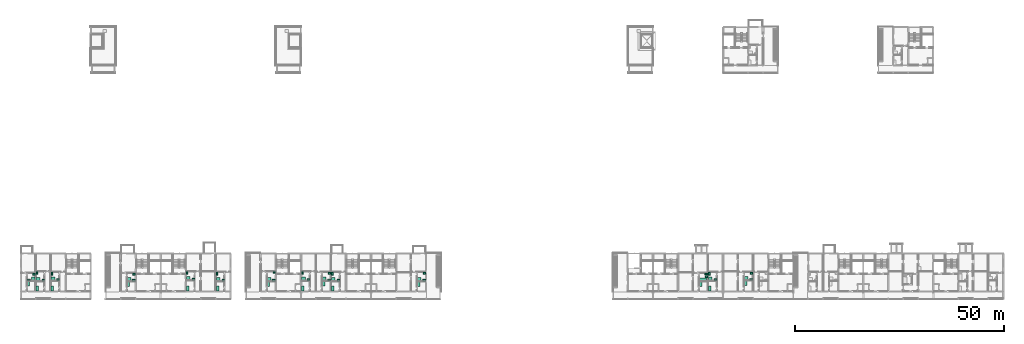
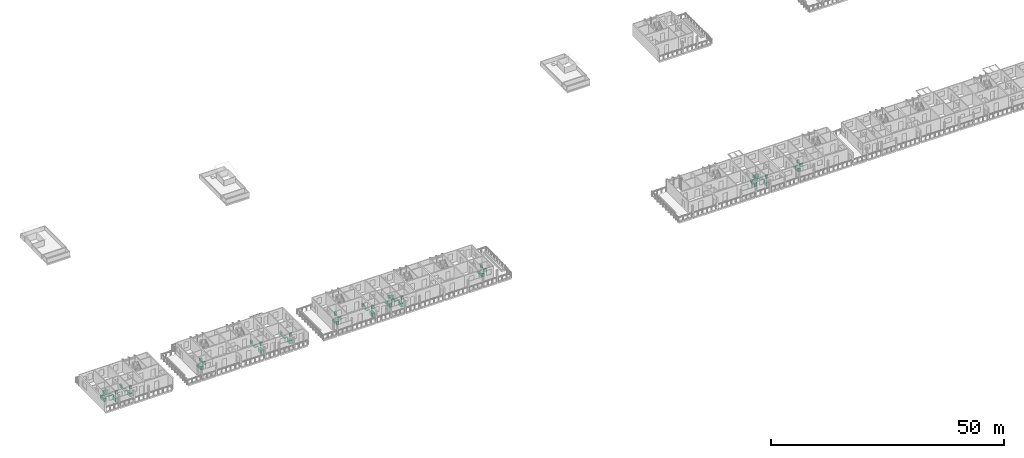
# One storey, part 63 of 64: 56 sanitary terminals.
"""IFC4 building model written with IfcOpenShell, lengths in metres."""

from ifc_helpers import new_model, si_unit, direction, frame, origin, origin_2d, place, context, subcontext, project, spatial, rectangle, extrude, element, save


model = new_model("IFC4")

# Units and contexts
model_context = context("Model", 3, precision=1e-05, world=origin(), true_north=direction((0.0, 1.0)))
body_context = subcontext(model_context, "Body", "Model", "MODEL_VIEW")
ifc_project = project(units=[si_unit("LENGTHUNIT", "METRE"), si_unit("AREAUNIT", "SQUARE_METRE"), si_unit("VOLUMEUNIT", "CUBIC_METRE"), si_unit("PLANEANGLEUNIT", "RADIAN"), si_unit("MASSUNIT", "GRAM", prefix="KILO")], contexts=[model_context])

# Site, building, storey
site_placement = place(None, origin())
site = spatial("IfcSite", under=ifc_project, at=site_placement, CompositionType="ELEMENT")
building_placement = place(site_placement, origin())
building = spatial("IfcBuilding", under=site, at=building_placement, Name="Ridgestep Commons", CompositionType="ELEMENT")
storey_placement = place(building_placement, frame((0.0, 0.0, 33.0)))
storey = spatial("IfcBuildingStorey", under=building, at=storey_placement, Name="L11", CompositionType="ELEMENT", Elevation=33.0)

# Sanitary terminals
sanitary_terminal_1_placement = place(storey_placement, frame((15.050048828125, 16.7099609375, 0.0), z_axis=(0.0, 0.0, 1.0), x_axis=(1.0, 0.0, 0.0)))
element("IfcSanitaryTerminal", 1, at=sanitary_terminal_1_placement, inside=storey, Name="Shower tray A1-11a", PredefinedType="SHOWER", context=body_context, shape_type="SweptSolid", body=[
    extrude(rectangle(XDim=0.89990234375, YDim=0.89990234375, at=origin_2d()), origin(), (0.0, 0.0, 1.0), 0.10009765625),
])
sanitary_terminal_2_placement = place(storey_placement, frame((13.909912109375, 16.4599609375, 0.0), z_axis=(0.0, 0.0, 1.0), x_axis=(1.0, 0.0, 0.0)))
element("IfcSanitaryTerminal", 2, at=sanitary_terminal_2_placement, inside=storey, Name="WC A1-11a", PredefinedType="TOILETPAN", context=body_context, shape_type="SweptSolid", body=[
    extrude(rectangle(XDim=0.699951171875, YDim=0.39990234375, at=origin_2d()), origin(), (0.0, 0.0, 1.0), 0.800048828125),
])
sanitary_terminal_3_placement = place(storey_placement, frame((15.22509765625, 17.824951171875, 0.0), z_axis=(0.0, 0.0, 1.0), x_axis=(1.0, 0.0, 0.0)))
element("IfcSanitaryTerminal", 3, at=sanitary_terminal_3_placement, inside=storey, Name="Basin A1-11a", PredefinedType="WASHHANDBASIN", context=body_context, shape_type="SweptSolid", body=[
    extrude(rectangle(XDim=0.550048828125, YDim=0.449951171875, at=origin_2d()), origin(), (0.0, 0.0, 1.0), 0.85009765625),
])
sanitary_terminal_4_placement = place(storey_placement, frame((13.860107421875, 15.550048828125, 0.0), z_axis=(0.0, 0.0, 1.0), x_axis=(1.0, 0.0, 0.0)))
element("IfcSanitaryTerminal", 4, at=sanitary_terminal_4_placement, inside=storey, Name="Kitchen sink A1-11a", PredefinedType="SINK", context=body_context, shape_type="SweptSolid", body=[
    extrude(rectangle(XDim=0.60009765625, YDim=1.199951171875, at=origin_2d()), origin(), (0.0, 0.0, 1.0), 0.89990234375),
])
sanitary_terminal_5_placement = place(storey_placement, frame((16.14990234375, 16.610107421875, 0.0), z_axis=(0.0, 0.0, 1.0), x_axis=(1.0, 0.0, 0.0)))
element("IfcSanitaryTerminal", 5, at=sanitary_terminal_5_placement, inside=storey, Name="Shower tray A1-11b", PredefinedType="SHOWER", context=body_context, shape_type="SweptSolid", body=[
    extrude(rectangle(XDim=0.89990234375, YDim=0.89990234375, at=origin_2d()), origin(), (0.0, 0.0, 1.0), 0.10009765625),
])
sanitary_terminal_6_placement = place(storey_placement, frame((15.89990234375, 18.10009765625, 0.0), z_axis=(0.0, 0.0, 1.0), x_axis=(1.0, 0.0, 0.0)))
element("IfcSanitaryTerminal", 6, at=sanitary_terminal_6_placement, inside=storey, Name="WC A1-11b", PredefinedType="TOILETPAN", context=body_context, shape_type="SweptSolid", body=[
    extrude(rectangle(XDim=0.39990234375, YDim=0.699951171875, at=origin_2d()), origin(), (0.0, 0.0, 1.0), 0.800048828125),
])
sanitary_terminal_7_placement = place(storey_placement, frame((17.4150390625, 16.385009765625, 0.0), z_axis=(0.0, 0.0, 1.0), x_axis=(1.0, 0.0, 0.0)))
element("IfcSanitaryTerminal", 7, at=sanitary_terminal_7_placement, inside=storey, Name="Basin A1-11b", PredefinedType="WASHHANDBASIN", context=body_context, shape_type="SweptSolid", body=[
    extrude(rectangle(XDim=0.550048828125, YDim=0.449951171875, at=origin_2d()), origin(), (0.0, 0.0, 1.0), 0.85009765625),
])
sanitary_terminal_8_placement = place(storey_placement, frame((16.0, 14.35009765625, 0.0), z_axis=(0.0, 0.0, 1.0), x_axis=(1.0, 0.0, 0.0)))
element("IfcSanitaryTerminal", 8, at=sanitary_terminal_8_placement, inside=storey, Name="Kitchen sink A1-11b", PredefinedType="SINK", context=body_context, shape_type="SweptSolid", body=[
    extrude(rectangle(XDim=0.60009765625, YDim=1.199951171875, at=origin_2d()), origin(), (0.0, 0.0, 1.0), 0.89990234375),
])
sanitary_terminal_9_placement = place(storey_placement, frame((19.75, 16.7099609375, 0.0), z_axis=(0.0, 0.0, 1.0), x_axis=(1.0, 0.0, 0.0)))
element("IfcSanitaryTerminal", 9, at=sanitary_terminal_9_placement, inside=storey, Name="Shower tray A1-11c", PredefinedType="SHOWER", context=body_context, shape_type="SweptSolid", body=[
    extrude(rectangle(XDim=0.89990234375, YDim=0.89990234375, at=origin_2d()), origin(), (0.0, 0.0, 1.0), 0.10009765625),
])
sanitary_terminal_10_placement = place(storey_placement, frame((19.5, 17.89990234375, 0.0), z_axis=(0.0, 0.0, 1.0), x_axis=(1.0, 0.0, 0.0)))
element("IfcSanitaryTerminal", 10, at=sanitary_terminal_10_placement, inside=storey, Name="WC A1-11c", PredefinedType="TOILETPAN", context=body_context, shape_type="SweptSolid", body=[
    extrude(rectangle(XDim=0.39990234375, YDim=0.699951171875, at=origin_2d()), origin(), (0.0, 0.0, 1.0), 0.800048828125),
])
sanitary_terminal_11_placement = place(storey_placement, frame((20.989990234375, 16.485107421875, 0.0), z_axis=(0.0, 0.0, 1.0), x_axis=(1.0, 0.0, 0.0)))
element("IfcSanitaryTerminal", 11, at=sanitary_terminal_11_placement, inside=storey, Name="Basin A1-11c", PredefinedType="WASHHANDBASIN", context=body_context, shape_type="SweptSolid", body=[
    extrude(rectangle(XDim=0.550048828125, YDim=0.449951171875, at=origin_2d()), origin(), (0.0, 0.0, 1.0), 0.85009765625),
])
sanitary_terminal_12_placement = place(storey_placement, frame((19.60009765625, 14.35009765625, 0.0), z_axis=(0.0, 0.0, 1.0), x_axis=(1.0, 0.0, 0.0)))
element("IfcSanitaryTerminal", 12, at=sanitary_terminal_12_placement, inside=storey, Name="Kitchen sink A1-11c", PredefinedType="SINK", context=body_context, shape_type="SweptSolid", body=[
    extrude(rectangle(XDim=0.60009765625, YDim=1.199951171875, at=origin_2d()), origin(), (0.0, 0.0, 1.0), 0.89990234375),
])
sanitary_terminal_13_placement = place(storey_placement, frame((37.9599609375, 16.610107421875, 0.0), z_axis=(0.0, 0.0, 1.0), x_axis=(1.0, 0.0, 0.0)))
element("IfcSanitaryTerminal", 13, at=sanitary_terminal_13_placement, inside=storey, Name="Shower tray A2-11a", PredefinedType="SHOWER", context=body_context, shape_type="SweptSolid", body=[
    extrude(rectangle(XDim=0.89990234375, YDim=0.89990234375, at=origin_2d()), origin(), (0.0, 0.0, 1.0), 0.10009765625),
])
sanitary_terminal_14_placement = place(storey_placement, frame((39.125, 16.360107421875, 0.0), z_axis=(0.0, 0.0, 1.0), x_axis=(1.0, 0.0, 0.0)))
element("IfcSanitaryTerminal", 14, at=sanitary_terminal_14_placement, inside=storey, Name="WC A2-11a", PredefinedType="TOILETPAN", context=body_context, shape_type="SweptSolid", body=[
    extrude(rectangle(XDim=0.699951171875, YDim=0.39990234375, at=origin_2d()), origin(), (0.0, 0.0, 1.0), 0.800048828125),
])
sanitary_terminal_15_placement = place(storey_placement, frame((39.199951171875, 17.824951171875, 0.0), z_axis=(0.0, 0.0, 1.0), x_axis=(1.0, 0.0, 0.0)))
element("IfcSanitaryTerminal", 15, at=sanitary_terminal_15_placement, inside=storey, Name="Basin A2-11a", PredefinedType="WASHHANDBASIN", context=body_context, shape_type="SweptSolid", body=[
    extrude(rectangle(XDim=0.550048828125, YDim=0.449951171875, at=origin_2d()), origin(), (0.0, 0.0, 1.0), 0.85009765625),
])
sanitary_terminal_16_placement = place(storey_placement, frame((37.81005859375, 15.449951171875, 0.0), z_axis=(0.0, 0.0, 1.0), x_axis=(1.0, 0.0, 0.0)))
element("IfcSanitaryTerminal", 16, at=sanitary_terminal_16_placement, inside=storey, Name="Kitchen sink A2-11a", PredefinedType="SINK", context=body_context, shape_type="SweptSolid", body=[
    extrude(rectangle(XDim=0.60009765625, YDim=1.199951171875, at=origin_2d()), origin(), (0.0, 0.0, 1.0), 0.89990234375),
])
sanitary_terminal_17_placement = place(storey_placement, frame((59.35009765625, 16.610107421875, 0.0), z_axis=(0.0, 0.0, 1.0), x_axis=(1.0, 0.0, 0.0)))
element("IfcSanitaryTerminal", 17, at=sanitary_terminal_17_placement, inside=storey, Name="Shower tray A3-11a", PredefinedType="SHOWER", context=body_context, shape_type="SweptSolid", body=[
    extrude(rectangle(XDim=0.89990234375, YDim=0.89990234375, at=origin_2d()), origin(), (0.0, 0.0, 1.0), 0.10009765625),
])
sanitary_terminal_18_placement = place(storey_placement, frame((59.10009765625, 17.89990234375, 0.0), z_axis=(0.0, 0.0, 1.0), x_axis=(1.0, 0.0, 0.0)))
element("IfcSanitaryTerminal", 18, at=sanitary_terminal_18_placement, inside=storey, Name="WC A3-11a", PredefinedType="TOILETPAN", context=body_context, shape_type="SweptSolid", body=[
    extrude(rectangle(XDim=0.39990234375, YDim=0.699951171875, at=origin_2d()), origin(), (0.0, 0.0, 1.0), 0.800048828125),
])
sanitary_terminal_19_placement = place(storey_placement, frame((60.56494140625, 16.385009765625, 0.0), z_axis=(0.0, 0.0, 1.0), x_axis=(1.0, 0.0, 0.0)))
element("IfcSanitaryTerminal", 19, at=sanitary_terminal_19_placement, inside=storey, Name="Basin A3-11a", PredefinedType="WASHHANDBASIN", context=body_context, shape_type="SweptSolid", body=[
    extrude(rectangle(XDim=0.550048828125, YDim=0.449951171875, at=origin_2d()), origin(), (0.0, 0.0, 1.0), 0.85009765625),
])
sanitary_terminal_20_placement = place(storey_placement, frame((59.199951171875, 14.35009765625, 0.0), z_axis=(0.0, 0.0, 1.0), x_axis=(1.0, 0.0, 0.0)))
element("IfcSanitaryTerminal", 20, at=sanitary_terminal_20_placement, inside=storey, Name="Kitchen sink A3-11a", PredefinedType="SINK", context=body_context, shape_type="SweptSolid", body=[
    extrude(rectangle(XDim=0.60009765625, YDim=1.199951171875, at=origin_2d()), origin(), (0.0, 0.0, 1.0), 0.89990234375),
])
sanitary_terminal_21_placement = place(storey_placement, frame((52.175048828125, 16.81005859375, 0.0), z_axis=(0.0, 0.0, 1.0), x_axis=(1.0, 0.0, 0.0)))
element("IfcSanitaryTerminal", 21, at=sanitary_terminal_21_placement, inside=storey, Name="Shower tray A3-11b", PredefinedType="SHOWER", context=body_context, shape_type="SweptSolid", body=[
    extrude(rectangle(XDim=0.89990234375, YDim=0.89990234375, at=origin_2d()), origin(), (0.0, 0.0, 1.0), 0.10009765625),
])
sanitary_terminal_22_placement = place(storey_placement, frame((51.925048828125, 18.10009765625, 0.0), z_axis=(0.0, 0.0, 1.0), x_axis=(1.0, 0.0, 0.0)))
element("IfcSanitaryTerminal", 22, at=sanitary_terminal_22_placement, inside=storey, Name="WC A3-11b", PredefinedType="TOILETPAN", context=body_context, shape_type="SweptSolid", body=[
    extrude(rectangle(XDim=0.39990234375, YDim=0.699951171875, at=origin_2d()), origin(), (0.0, 0.0, 1.0), 0.800048828125),
])
sanitary_terminal_23_placement = place(storey_placement, frame((53.4150390625, 16.5849609375, 0.0), z_axis=(0.0, 0.0, 1.0), x_axis=(1.0, 0.0, 0.0)))
element("IfcSanitaryTerminal", 23, at=sanitary_terminal_23_placement, inside=storey, Name="Basin A3-11b", PredefinedType="WASHHANDBASIN", context=body_context, shape_type="SweptSolid", body=[
    extrude(rectangle(XDim=0.550048828125, YDim=0.449951171875, at=origin_2d()), origin(), (0.0, 0.0, 1.0), 0.85009765625),
])
sanitary_terminal_24_placement = place(storey_placement, frame((52.02490234375, 14.35009765625, 0.0), z_axis=(0.0, 0.0, 1.0), x_axis=(1.0, 0.0, 0.0)))
element("IfcSanitaryTerminal", 24, at=sanitary_terminal_24_placement, inside=storey, Name="Kitchen sink A3-11b", PredefinedType="SINK", context=body_context, shape_type="SweptSolid", body=[
    extrude(rectangle(XDim=0.60009765625, YDim=1.199951171875, at=origin_2d()), origin(), (0.0, 0.0, 1.0), 0.89990234375),
])
sanitary_terminal_25_placement = place(storey_placement, frame((71.56005859375, 16.610107421875, 0.0), z_axis=(0.0, 0.0, 1.0), x_axis=(1.0, 0.0, 0.0)))
element("IfcSanitaryTerminal", 25, at=sanitary_terminal_25_placement, inside=storey, Name="Shower tray A4-11a", PredefinedType="SHOWER", context=body_context, shape_type="SweptSolid", body=[
    extrude(rectangle(XDim=0.89990234375, YDim=0.89990234375, at=origin_2d()), origin(), (0.0, 0.0, 1.0), 0.10009765625),
])
sanitary_terminal_26_placement = place(storey_placement, frame((72.72509765625, 16.360107421875, 0.0), z_axis=(0.0, 0.0, 1.0), x_axis=(1.0, 0.0, 0.0)))
element("IfcSanitaryTerminal", 26, at=sanitary_terminal_26_placement, inside=storey, Name="WC A4-11a", PredefinedType="TOILETPAN", context=body_context, shape_type="SweptSolid", body=[
    extrude(rectangle(XDim=0.699951171875, YDim=0.39990234375, at=origin_2d()), origin(), (0.0, 0.0, 1.0), 0.800048828125),
])
sanitary_terminal_27_placement = place(storey_placement, frame((72.800048828125, 18.22509765625, 0.0), z_axis=(0.0, 0.0, 1.0), x_axis=(1.0, 0.0, 0.0)))
element("IfcSanitaryTerminal", 27, at=sanitary_terminal_27_placement, inside=storey, Name="Basin A4-11a", PredefinedType="WASHHANDBASIN", context=body_context, shape_type="SweptSolid", body=[
    extrude(rectangle(XDim=0.550048828125, YDim=0.449951171875, at=origin_2d()), origin(), (0.0, 0.0, 1.0), 0.85009765625),
])
sanitary_terminal_28_placement = place(storey_placement, frame((71.409912109375, 15.449951171875, 0.0), z_axis=(0.0, 0.0, 1.0), x_axis=(1.0, 0.0, 0.0)))
element("IfcSanitaryTerminal", 28, at=sanitary_terminal_28_placement, inside=storey, Name="Kitchen sink A4-11a", PredefinedType="SINK", context=body_context, shape_type="SweptSolid", body=[
    extrude(rectangle(XDim=0.60009765625, YDim=1.199951171875, at=origin_2d()), origin(), (0.0, 0.0, 1.0), 0.89990234375),
])
sanitary_terminal_29_placement = place(storey_placement, frame((79.800048828125, 16.7099609375, 0.0), z_axis=(0.0, 0.0, 1.0), x_axis=(1.0, 0.0, 0.0)))
element("IfcSanitaryTerminal", 29, at=sanitary_terminal_29_placement, inside=storey, Name="Shower tray A5-11a", PredefinedType="SHOWER", context=body_context, shape_type="SweptSolid", body=[
    extrude(rectangle(XDim=0.89990234375, YDim=0.89990234375, at=origin_2d()), origin(), (0.0, 0.0, 1.0), 0.10009765625),
])
sanitary_terminal_30_placement = place(storey_placement, frame((79.550048828125, 18.10009765625, 0.0), z_axis=(0.0, 0.0, 1.0), x_axis=(1.0, 0.0, 0.0)))
element("IfcSanitaryTerminal", 30, at=sanitary_terminal_30_placement, inside=storey, Name="WC A5-11a", PredefinedType="TOILETPAN", context=body_context, shape_type="SweptSolid", body=[
    extrude(rectangle(XDim=0.39990234375, YDim=0.699951171875, at=origin_2d()), origin(), (0.0, 0.0, 1.0), 0.800048828125),
])
sanitary_terminal_31_placement = place(storey_placement, frame((81.014892578125, 16.485107421875, 0.0), z_axis=(0.0, 0.0, 1.0), x_axis=(1.0, 0.0, 0.0)))
element("IfcSanitaryTerminal", 31, at=sanitary_terminal_31_placement, inside=storey, Name="Basin A5-11a", PredefinedType="WASHHANDBASIN", context=body_context, shape_type="SweptSolid", body=[
    extrude(rectangle(XDim=0.550048828125, YDim=0.449951171875, at=origin_2d()), origin(), (0.0, 0.0, 1.0), 0.85009765625),
])
sanitary_terminal_32_placement = place(storey_placement, frame((79.64990234375, 14.35009765625, 0.0), z_axis=(0.0, 0.0, 1.0), x_axis=(1.0, 0.0, 0.0)))
element("IfcSanitaryTerminal", 32, at=sanitary_terminal_32_placement, inside=storey, Name="Kitchen sink A5-11a", PredefinedType="SINK", context=body_context, shape_type="SweptSolid", body=[
    extrude(rectangle(XDim=0.60009765625, YDim=1.199951171875, at=origin_2d()), origin(), (0.0, 0.0, 1.0), 0.89990234375),
])
sanitary_terminal_33_placement = place(storey_placement, frame((84.760009765625, 16.7099609375, 0.0), z_axis=(0.0, 0.0, 1.0), x_axis=(1.0, 0.0, 0.0)))
element("IfcSanitaryTerminal", 33, at=sanitary_terminal_33_placement, inside=storey, Name="Shower tray A5-11b", PredefinedType="SHOWER", context=body_context, shape_type="SweptSolid", body=[
    extrude(rectangle(XDim=0.89990234375, YDim=0.89990234375, at=origin_2d()), origin(), (0.0, 0.0, 1.0), 0.10009765625),
])
sanitary_terminal_34_placement = place(storey_placement, frame((85.949951171875, 16.4599609375, 0.0), z_axis=(0.0, 0.0, 1.0), x_axis=(1.0, 0.0, 0.0)))
element("IfcSanitaryTerminal", 34, at=sanitary_terminal_34_placement, inside=storey, Name="WC A5-11b", PredefinedType="TOILETPAN", context=body_context, shape_type="SweptSolid", body=[
    extrude(rectangle(XDim=0.699951171875, YDim=0.39990234375, at=origin_2d()), origin(), (0.0, 0.0, 1.0), 0.800048828125),
])
sanitary_terminal_35_placement = place(storey_placement, frame((86.02490234375, 18.02490234375, 0.0), z_axis=(0.0, 0.0, 1.0), x_axis=(1.0, 0.0, 0.0)))
element("IfcSanitaryTerminal", 35, at=sanitary_terminal_35_placement, inside=storey, Name="Basin A5-11b", PredefinedType="WASHHANDBASIN", context=body_context, shape_type="SweptSolid", body=[
    extrude(rectangle(XDim=0.550048828125, YDim=0.449951171875, at=origin_2d()), origin(), (0.0, 0.0, 1.0), 0.85009765625),
])
sanitary_terminal_36_placement = place(storey_placement, frame((84.610107421875, 15.550048828125, 0.0), z_axis=(0.0, 0.0, 1.0), x_axis=(1.0, 0.0, 0.0)))
element("IfcSanitaryTerminal", 36, at=sanitary_terminal_36_placement, inside=storey, Name="Kitchen sink A5-11b", PredefinedType="SINK", context=body_context, shape_type="SweptSolid", body=[
    extrude(rectangle(XDim=0.60009765625, YDim=1.199951171875, at=origin_2d()), origin(), (0.0, 0.0, 1.0), 0.89990234375),
])
sanitary_terminal_37_placement = place(storey_placement, frame((86.949951171875, 16.610107421875, 0.0), z_axis=(0.0, 0.0, 1.0), x_axis=(1.0, 0.0, 0.0)))
element("IfcSanitaryTerminal", 37, at=sanitary_terminal_37_placement, inside=storey, Name="Shower tray A5-11c", PredefinedType="SHOWER", context=body_context, shape_type="SweptSolid", body=[
    extrude(rectangle(XDim=0.89990234375, YDim=0.89990234375, at=origin_2d()), origin(), (0.0, 0.0, 1.0), 0.10009765625),
])
sanitary_terminal_38_placement = place(storey_placement, frame((86.699951171875, 17.89990234375, 0.0), z_axis=(0.0, 0.0, 1.0), x_axis=(1.0, 0.0, 0.0)))
element("IfcSanitaryTerminal", 38, at=sanitary_terminal_38_placement, inside=storey, Name="WC A5-11c", PredefinedType="TOILETPAN", context=body_context, shape_type="SweptSolid", body=[
    extrude(rectangle(XDim=0.39990234375, YDim=0.699951171875, at=origin_2d()), origin(), (0.0, 0.0, 1.0), 0.800048828125),
])
sanitary_terminal_39_placement = place(storey_placement, frame((88.18994140625, 16.385009765625, 0.0), z_axis=(0.0, 0.0, 1.0), x_axis=(1.0, 0.0, 0.0)))
element("IfcSanitaryTerminal", 39, at=sanitary_terminal_39_placement, inside=storey, Name="Basin A5-11c", PredefinedType="WASHHANDBASIN", context=body_context, shape_type="SweptSolid", body=[
    extrude(rectangle(XDim=0.550048828125, YDim=0.449951171875, at=origin_2d()), origin(), (0.0, 0.0, 1.0), 0.85009765625),
])
sanitary_terminal_40_placement = place(storey_placement, frame((86.800048828125, 14.35009765625, 0.0), z_axis=(0.0, 0.0, 1.0), x_axis=(1.0, 0.0, 0.0)))
element("IfcSanitaryTerminal", 40, at=sanitary_terminal_40_placement, inside=storey, Name="Kitchen sink A5-11c", PredefinedType="SINK", context=body_context, shape_type="SweptSolid", body=[
    extrude(rectangle(XDim=0.60009765625, YDim=1.199951171875, at=origin_2d()), origin(), (0.0, 0.0, 1.0), 0.89990234375),
])
sanitary_terminal_41_placement = place(storey_placement, frame((107.56005859375, 16.610107421875, 0.0), z_axis=(0.0, 0.0, 1.0), x_axis=(1.0, 0.0, 0.0)))
element("IfcSanitaryTerminal", 41, at=sanitary_terminal_41_placement, inside=storey, Name="Shower tray A6-11a", PredefinedType="SHOWER", context=body_context, shape_type="SweptSolid", body=[
    extrude(rectangle(XDim=0.89990234375, YDim=0.89990234375, at=origin_2d()), origin(), (0.0, 0.0, 1.0), 0.10009765625),
])
sanitary_terminal_42_placement = place(storey_placement, frame((108.75, 16.360107421875, 0.0), z_axis=(0.0, 0.0, 1.0), x_axis=(1.0, 0.0, 0.0)))
element("IfcSanitaryTerminal", 42, at=sanitary_terminal_42_placement, inside=storey, Name="WC A6-11a", PredefinedType="TOILETPAN", context=body_context, shape_type="SweptSolid", body=[
    extrude(rectangle(XDim=0.699951171875, YDim=0.39990234375, at=origin_2d()), origin(), (0.0, 0.0, 1.0), 0.800048828125),
])
sanitary_terminal_43_placement = place(storey_placement, frame((108.824951171875, 18.02490234375, 0.0), z_axis=(0.0, 0.0, 1.0), x_axis=(1.0, 0.0, 0.0)))
element("IfcSanitaryTerminal", 43, at=sanitary_terminal_43_placement, inside=storey, Name="Basin A6-11a", PredefinedType="WASHHANDBASIN", context=body_context, shape_type="SweptSolid", body=[
    extrude(rectangle(XDim=0.550048828125, YDim=0.449951171875, at=origin_2d()), origin(), (0.0, 0.0, 1.0), 0.85009765625),
])
sanitary_terminal_44_placement = place(storey_placement, frame((107.409912109375, 15.449951171875, 0.0), z_axis=(0.0, 0.0, 1.0), x_axis=(1.0, 0.0, 0.0)))
element("IfcSanitaryTerminal", 44, at=sanitary_terminal_44_placement, inside=storey, Name="Kitchen sink A6-11a", PredefinedType="SINK", context=body_context, shape_type="SweptSolid", body=[
    extrude(rectangle(XDim=0.60009765625, YDim=1.199951171875, at=origin_2d()), origin(), (0.0, 0.0, 1.0), 0.89990234375),
])
sanitary_terminal_45_placement = place(storey_placement, frame((177.35009765625, 16.7099609375, 0.0), z_axis=(0.0, 0.0, 1.0), x_axis=(1.0, 0.0, 0.0)))
element("IfcSanitaryTerminal", 45, at=sanitary_terminal_45_placement, inside=storey, Name="Shower tray D2-11a", PredefinedType="SHOWER", context=body_context, shape_type="SweptSolid", body=[
    extrude(rectangle(XDim=0.89990234375, YDim=0.89990234375, at=origin_2d()), origin(), (0.0, 0.0, 1.0), 0.10009765625),
])
sanitary_terminal_46_placement = place(storey_placement, frame((177.10009765625, 17.89990234375, 0.0), z_axis=(0.0, 0.0, 1.0), x_axis=(1.0, 0.0, 0.0)))
element("IfcSanitaryTerminal", 46, at=sanitary_terminal_46_placement, inside=storey, Name="WC D2-11a", PredefinedType="TOILETPAN", context=body_context, shape_type="SweptSolid", body=[
    extrude(rectangle(XDim=0.39990234375, YDim=0.699951171875, at=origin_2d()), origin(), (0.0, 0.0, 1.0), 0.800048828125),
])
sanitary_terminal_47_placement = place(storey_placement, frame((178.56494140625, 16.485107421875, 0.0), z_axis=(0.0, 0.0, 1.0), x_axis=(1.0, 0.0, 0.0)))
element("IfcSanitaryTerminal", 47, at=sanitary_terminal_47_placement, inside=storey, Name="Basin D2-11a", PredefinedType="WASHHANDBASIN", context=body_context, shape_type="SweptSolid", body=[
    extrude(rectangle(XDim=0.550048828125, YDim=0.449951171875, at=origin_2d()), origin(), (0.0, 0.0, 1.0), 0.85009765625),
])
sanitary_terminal_48_placement = place(storey_placement, frame((177.199951171875, 14.35009765625, 0.0), z_axis=(0.0, 0.0, 1.0), x_axis=(1.0, 0.0, 0.0)))
element("IfcSanitaryTerminal", 48, at=sanitary_terminal_48_placement, inside=storey, Name="Kitchen sink D2-11a", PredefinedType="SINK", context=body_context, shape_type="SweptSolid", body=[
    extrude(rectangle(XDim=0.60009765625, YDim=1.199951171875, at=origin_2d()), origin(), (0.0, 0.0, 1.0), 0.89990234375),
])
sanitary_terminal_49_placement = place(storey_placement, frame((175.56005859375, 16.534912109375, 0.0), z_axis=(0.0, 0.0, 1.0), x_axis=(1.0, 0.0, 0.0)))
element("IfcSanitaryTerminal", 49, at=sanitary_terminal_49_placement, inside=storey, Name="Bath D2-11b", PredefinedType="BATH", context=body_context, shape_type="SweptSolid", body=[
    extrude(rectangle(XDim=1.699951171875, YDim=0.75, at=origin_2d()), origin(), (0.0, 0.0, 1.0), 0.550048828125),
])
sanitary_terminal_50_placement = place(storey_placement, frame((176.35009765625, 17.85009765625, 0.0), z_axis=(0.0, 0.0, 1.0), x_axis=(1.0, 0.0, 0.0)))
element("IfcSanitaryTerminal", 50, at=sanitary_terminal_50_placement, inside=storey, Name="WC D2-11b", PredefinedType="TOILETPAN", context=body_context, shape_type="SweptSolid", body=[
    extrude(rectangle(XDim=0.699951171875, YDim=0.39990234375, at=origin_2d()), origin(), (0.0, 0.0, 1.0), 0.800048828125),
])
sanitary_terminal_51_placement = place(storey_placement, frame((176.425048828125, 17.18505859375, 0.0), z_axis=(0.0, 0.0, 1.0), x_axis=(1.0, 0.0, 0.0)))
element("IfcSanitaryTerminal", 51, at=sanitary_terminal_51_placement, inside=storey, Name="Basin D2-11b", PredefinedType="WASHHANDBASIN", context=body_context, shape_type="SweptSolid", body=[
    extrude(rectangle(XDim=0.550048828125, YDim=0.449951171875, at=origin_2d()), origin(), (0.0, 0.0, 1.0), 0.85009765625),
])
sanitary_terminal_52_placement = place(storey_placement, frame((175.010009765625, 15.449951171875, 0.0), z_axis=(0.0, 0.0, 1.0), x_axis=(1.0, 0.0, 0.0)))
element("IfcSanitaryTerminal", 52, at=sanitary_terminal_52_placement, inside=storey, Name="Kitchen sink D2-11b", PredefinedType="SINK", context=body_context, shape_type="SweptSolid", body=[
    extrude(rectangle(XDim=0.60009765625, YDim=1.199951171875, at=origin_2d()), origin(), (0.0, 0.0, 1.0), 0.89990234375),
])
sanitary_terminal_53_placement = place(storey_placement, frame((185.9599609375, 16.81005859375, 0.0), z_axis=(0.0, 0.0, 1.0), x_axis=(1.0, 0.0, 0.0)))
element("IfcSanitaryTerminal", 53, at=sanitary_terminal_53_placement, inside=storey, Name="Shower tray D3-11a", PredefinedType="SHOWER", context=body_context, shape_type="SweptSolid", body=[
    extrude(rectangle(XDim=0.89990234375, YDim=0.89990234375, at=origin_2d()), origin(), (0.0, 0.0, 1.0), 0.10009765625),
])
sanitary_terminal_54_placement = place(storey_placement, frame((187.14990234375, 16.56005859375, 0.0), z_axis=(0.0, 0.0, 1.0), x_axis=(1.0, 0.0, 0.0)))
element("IfcSanitaryTerminal", 54, at=sanitary_terminal_54_placement, inside=storey, Name="WC D3-11a", PredefinedType="TOILETPAN", context=body_context, shape_type="SweptSolid", body=[
    extrude(rectangle(XDim=0.699951171875, YDim=0.39990234375, at=origin_2d()), origin(), (0.0, 0.0, 1.0), 0.800048828125),
])
sanitary_terminal_55_placement = place(storey_placement, frame((187.22509765625, 18.02490234375, 0.0), z_axis=(0.0, 0.0, 1.0), x_axis=(1.0, 0.0, 0.0)))
element("IfcSanitaryTerminal", 55, at=sanitary_terminal_55_placement, inside=storey, Name="Basin D3-11a", PredefinedType="WASHHANDBASIN", context=body_context, shape_type="SweptSolid", body=[
    extrude(rectangle(XDim=0.550048828125, YDim=0.449951171875, at=origin_2d()), origin(), (0.0, 0.0, 1.0), 0.85009765625),
])
sanitary_terminal_56_placement = place(storey_placement, frame((185.81005859375, 15.64990234375, 0.0), z_axis=(0.0, 0.0, 1.0), x_axis=(1.0, 0.0, 0.0)))
element("IfcSanitaryTerminal", 56, at=sanitary_terminal_56_placement, inside=storey, Name="Kitchen sink D3-11a", PredefinedType="SINK", context=body_context, shape_type="SweptSolid", body=[
    extrude(rectangle(XDim=0.60009765625, YDim=1.199951171875, at=origin_2d()), origin(), (0.0, 0.0, 1.0), 0.89990234375),
])

save(model, "model.ifc")
